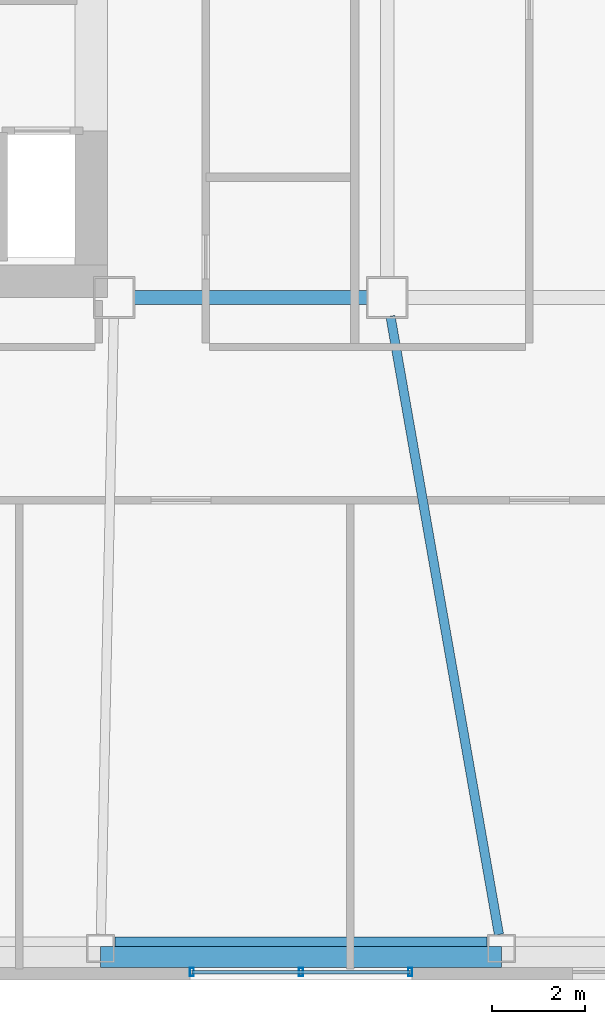
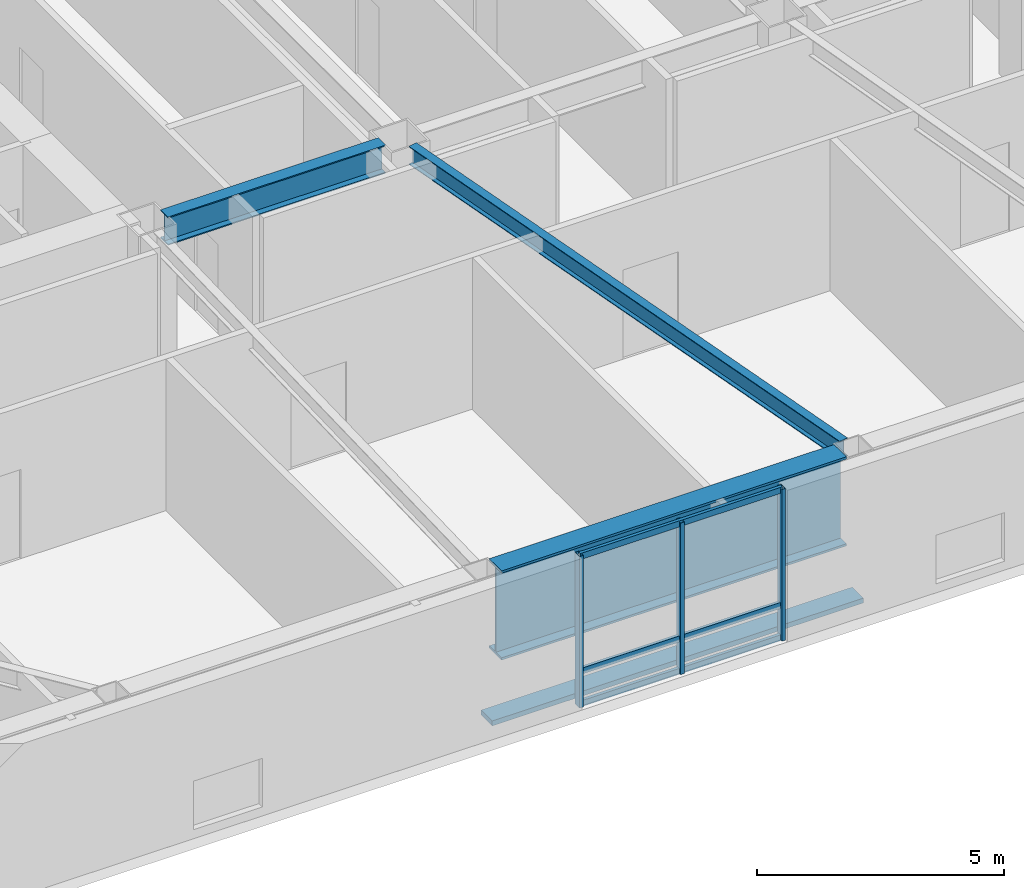
# One storey, part 2 of 19: 7 members, 3 beams, 1 element without a shape of its own.
"""IFC4 building model written with IfcOpenShell, lengths in metres."""

from ifc_helpers import new_model, si_unit, direction, frame, origin, origin_2d, place, context, subcontext, project, spatial, rectangle, hollow_rectangle, i_section, extrude, material, layer, layer_set, material_profile, profile_set, type_object, element, aggregate, save


model = new_model("IFC4")

# Units and contexts
model_context = context("Model", 3, precision=1e-05, world=origin(), true_north=direction((0.0, 1.0)))
body_context = subcontext(model_context, "Body", "Model", "MODEL_VIEW")
ifc_project = project(units=[si_unit("LENGTHUNIT", "METRE"), si_unit("AREAUNIT", "SQUARE_METRE"), si_unit("VOLUMEUNIT", "CUBIC_METRE"), si_unit("PLANEANGLEUNIT", "RADIAN"), si_unit("MASSUNIT", "GRAM", prefix="KILO")], contexts=[model_context])

# Site, building, storey
site_placement = place(None, origin())
site = spatial("IfcSite", under=ifc_project, at=site_placement, CompositionType="ELEMENT")
building_placement = place(site_placement, origin())
building = spatial("IfcBuilding", under=site, at=building_placement, Name="Tavrogorsk Clinical Tower", CompositionType="ELEMENT")
storey_placement = place(building_placement, frame((0.0, 0.0, 172.199951171875)))
storey = spatial("IfcBuildingStorey", under=building, at=storey_placement, Name="L39", CompositionType="ELEMENT", Elevation=172.199951171875)

# Member
ifc_material_1 = material(Name="Anodised aluminium alloy AW-6063", Category="aluminium")
ifc_material_profile_1 = material_profile(ifc_material_1, rectangle(XDim=0.449951171875, YDim=0.1201171875, at=origin_2d()), Name="ALU-SUNSHADE-450x120")
ifc_profile_set_1 = profile_set([ifc_material_profile_1], Name="Anodised aluminium alloy AW-6063")
member_type_1 = type_object("IfcMemberType", Name="ChicagoSunshade_450x120", PredefinedType="USERDEFINED", material=ifc_profile_set_1)
member_1_placement = place(storey_placement, frame((-10.59423828125, -20.60009765625, 0.179931640625), z_axis=(1.0, 0.0, 0.0), x_axis=(0.0, 1.0, 0.0)))
element("IfcMember", 1, at=member_1_placement, inside=storey, type_object=member_type_1, Name="L39 South Aluminium Sunshade S3", ObjectType="SUNSHADE", PredefinedType="USERDEFINED", context=body_context, shape_type="SweptSolid", body=[
    extrude(rectangle(XDim=0.449951171875, YDim=0.1201171875, at=origin_2d()), origin(), (0.0, 0.0, 1.0), 8.662841796875),
])

# Curtain wall, members
ifc_material_2 = material(Name="Anodised aluminium and triple IGU glazing", Category="aluminium")
ifc_layer = layer(ifc_material_2, 0.179931640625)
ifc_layer_set = layer_set([ifc_layer], Name="Anodised aluminium and triple IGU glazing")
curtain_wall_type = type_object("IfcCurtainWallType", Name="CW3_SouthSlot", PredefinedType="NOTDEFINED", material=ifc_layer_set)
curtain_wall_placement = place(storey_placement, origin())
curtain_wall = element("IfcCurtainWall", 2, at=curtain_wall_placement, inside=storey, type_object=curtain_wall_type, Name="L39 Curtain Wall CW-L39-S-SLOT-1", PredefinedType="NOTDEFINED")
ifc_material_3 = material(Name="Anodised aluminium alloy AW-6060", Category="aluminium")
ifc_material_profile_2 = material_profile(ifc_material_3, hollow_rectangle(XDim=0.090087890625, YDim=0.179931640625, WallThickness=0.00634765625, at=origin_2d()), Name="RHS-180x90x6.3")
ifc_profile_set_2 = profile_set([ifc_material_profile_2], Name="Anodised aluminium alloy AW-6060")
member_type_2 = type_object("IfcMemberType", Name="CwMullion_180x90", PredefinedType="MULLION", material=ifc_profile_set_2)
member_2_placement = place(storey_placement, frame((-8.621826171875, -20.929931640625, 0.0), z_axis=(0.0, 0.0, 1.0), x_axis=(1.0, 0.0, 0.0)))
member_2 = element("IfcMember", 3, at=member_2_placement, type_object=member_type_2, Name="CW-L39-S-SLOT-1 Mullion 1", PredefinedType="MULLION", context=body_context, shape_type="SweptSolid", body=[
    extrude(hollow_rectangle(XDim=0.090087890625, YDim=0.179931640625, WallThickness=0.00634765625, at=origin_2d()), origin(), (0.0, 0.0, 1.0), 3.739990234375),
])
member_3_placement = place(storey_placement, frame((-6.262939453125, -20.929931640625, 0.0), z_axis=(0.0, 0.0, 1.0), x_axis=(1.0, 0.0, 0.0)))
member_3 = element("IfcMember", 4, at=member_3_placement, type_object=member_type_2, Name="CW-L39-S-SLOT-1 Mullion 2", PredefinedType="MULLION", context=body_context, shape_type="SweptSolid", body=[
    extrude(hollow_rectangle(XDim=0.090087890625, YDim=0.179931640625, WallThickness=0.00634765625, at=origin_2d()), origin(), (0.0, 0.0, 1.0), 3.739990234375),
])
member_4_placement = place(storey_placement, frame((-3.90380859375, -20.929931640625, 0.0), z_axis=(0.0, 0.0, 1.0), x_axis=(1.0, 0.0, 0.0)))
member_4 = element("IfcMember", 5, at=member_4_placement, type_object=member_type_2, Name="CW-L39-S-SLOT-1 Mullion 3", PredefinedType="MULLION", context=body_context, shape_type="SweptSolid", body=[
    extrude(hollow_rectangle(XDim=0.090087890625, YDim=0.179931640625, WallThickness=0.00634765625, at=origin_2d()), origin(), (0.0, 0.0, 1.0), 3.739990234375),
])
ifc_material_4 = material(Name="Anodised aluminium alloy AW-6060", Category="aluminium")
ifc_material_profile_3 = material_profile(ifc_material_4, hollow_rectangle(XDim=0.074951171875, YDim=0.14990234375, WallThickness=0.0048828125, at=origin_2d()), Name="RHS-150x75x5")
ifc_profile_set_3 = profile_set([ifc_material_profile_3], Name="Anodised aluminium alloy AW-6060")
member_type_3 = type_object("IfcMemberType", Name="CwTransom_150x75", PredefinedType="USERDEFINED", material=ifc_profile_set_3)
member_5_placement = place(storey_placement, frame((-8.621826171875, -20.929931640625, 0.050048828125), z_axis=(1.0, 0.0, 0.0), x_axis=(0.0, 1.0, 0.0)))
member_5 = element("IfcMember", 6, at=member_5_placement, type_object=member_type_3, Name="CW-L39-S-SLOT-1 Transom 1", ObjectType="TRANSOM", PredefinedType="USERDEFINED", context=body_context, shape_type="SweptSolid", body=[
    extrude(hollow_rectangle(XDim=0.074951171875, YDim=0.14990234375, WallThickness=0.0048828125, at=origin_2d()), origin(), (0.0, 0.0, 1.0), 4.718017578125),
])
member_6_placement = place(storey_placement, frame((-8.621826171875, -20.929931640625, 0.85009765625), z_axis=(1.0, 0.0, 0.0), x_axis=(0.0, 1.0, 0.0)))
member_6 = element("IfcMember", 7, at=member_6_placement, type_object=member_type_3, Name="CW-L39-S-SLOT-1 Transom 2", ObjectType="TRANSOM", PredefinedType="USERDEFINED", context=body_context, shape_type="SweptSolid", body=[
    extrude(hollow_rectangle(XDim=0.074951171875, YDim=0.14990234375, WallThickness=0.0048828125, at=origin_2d()), origin(), (0.0, 0.0, 1.0), 4.718017578125),
])
member_7_placement = place(storey_placement, frame((-8.621826171875, -20.929931640625, 3.68994140625), z_axis=(1.0, 0.0, 0.0), x_axis=(0.0, 1.0, 0.0)))
member_7 = element("IfcMember", 8, at=member_7_placement, type_object=member_type_3, Name="CW-L39-S-SLOT-1 Transom 3", ObjectType="TRANSOM", PredefinedType="USERDEFINED", context=body_context, shape_type="SweptSolid", body=[
    extrude(hollow_rectangle(XDim=0.074951171875, YDim=0.14990234375, WallThickness=0.0048828125, at=origin_2d()), origin(), (0.0, 0.0, 1.0), 4.718017578125),
])
aggregate(curtain_wall, [member_2, member_3, member_4, member_5, member_6, member_7])

# Beams
ifc_material_5 = material(Name="Structural steel S355", Category="steel")
ifc_material_profile_4 = material_profile(ifc_material_5, i_section(OverallWidth=0.199951171875, OverallDepth=0.449951171875, WebThickness=0.011474609375, FlangeThickness=0.01806640625, at=origin_2d()), Name="B-450x200x11.5x18")
ifc_profile_set_4 = profile_set([ifc_material_profile_4], Name="Structural steel S355")
beam_type_1 = type_object("IfcBeamType", Name="FloorBeam_B450", PredefinedType="BEAM", material=ifc_profile_set_4)
beam_1_placement = place(storey_placement, frame((-4.3291015625, -6.75390625, 3.51513671875), z_axis=(0.172808972689, -0.984955358866, 0.0), x_axis=(0.984955358866, 0.172808972689, 0.0)))
element("IfcBeam", 9, at=beam_1_placement, inside=storey, type_object=beam_type_1, Name="L39 Radial Floor Beam S4", PredefinedType="BEAM", context=body_context, shape_type="SweptSolid", body=[
    extrude(i_section(OverallWidth=0.199951171875, OverallDepth=0.449951171875, WebThickness=0.011474609375, FlangeThickness=0.01806640625, at=origin_2d()), origin(), (0.0, 0.0, 1.0), 13.56689453125),
])
ifc_material_6 = material(Name="Structural steel S390", Category="steel")
ifc_material_profile_5 = material_profile(ifc_material_6, i_section(OverallWidth=0.300048828125, OverallDepth=0.699951171875, WebThickness=0.01708984375, FlangeThickness=0.028076171875, at=origin_2d()), Name="B-700x300x17x28")
ifc_profile_set_5 = profile_set([ifc_material_profile_5], Name="Structural steel S390")
beam_type_2 = type_object("IfcBeamType", Name="PrimaryGirder_B700", PredefinedType="USERDEFINED", material=ifc_profile_set_5)
beam_2_placement = place(storey_placement, frame((-9.889892578125, -6.35009765625, 3.39013671875), z_axis=(1.0, 0.0, 0.0), x_axis=(0.0, 1.0, 0.0)))
element("IfcBeam", 10, at=beam_2_placement, inside=storey, type_object=beam_type_2, Name="L39 Primary Spine Girder MG-01", ObjectType="GIRDER", PredefinedType="USERDEFINED", context=body_context, shape_type="SweptSolid", body=[
    extrude(i_section(OverallWidth=0.300048828125, OverallDepth=0.699951171875, WebThickness=0.01708984375, FlangeThickness=0.028076171875, at=origin_2d()), origin(), (0.0, 0.0, 1.0), 5.079833984375),
])
ifc_material_7 = material(Name="Structural steel S440", Category="steel")
ifc_material_profile_6 = material_profile(ifc_material_7, i_section(OverallWidth=0.5, OverallDepth=2.199951171875, WebThickness=0.035888671875, FlangeThickness=0.054931640625, at=origin_2d()), Name="DK-2200x500x36x55")
ifc_profile_set_6 = profile_set([ifc_material_profile_6], Name="Structural steel S440")
beam_type_3 = type_object("IfcBeamType", Name="TransferGirder_DK2200", PredefinedType="USERDEFINED", material=ifc_profile_set_6)
beam_3_placement = place(storey_placement, frame((-10.286376953125, -20.419921875, 2.64013671875), z_axis=(1.0, 0.0, 0.0), x_axis=(0.0, 1.0, 0.0)))
element("IfcBeam", 11, at=beam_3_placement, inside=storey, type_object=beam_type_3, Name="L39 Perimeter Spandrel S3-S4", ObjectType="GIRDER", PredefinedType="USERDEFINED", context=body_context, shape_type="SweptSolid", body=[
    extrude(i_section(OverallWidth=0.5, OverallDepth=2.199951171875, WebThickness=0.035888671875, FlangeThickness=0.054931640625, at=origin_2d()), origin(), (0.0, 0.0, 1.0), 8.046875),
])

save(model, "model.ifc")
